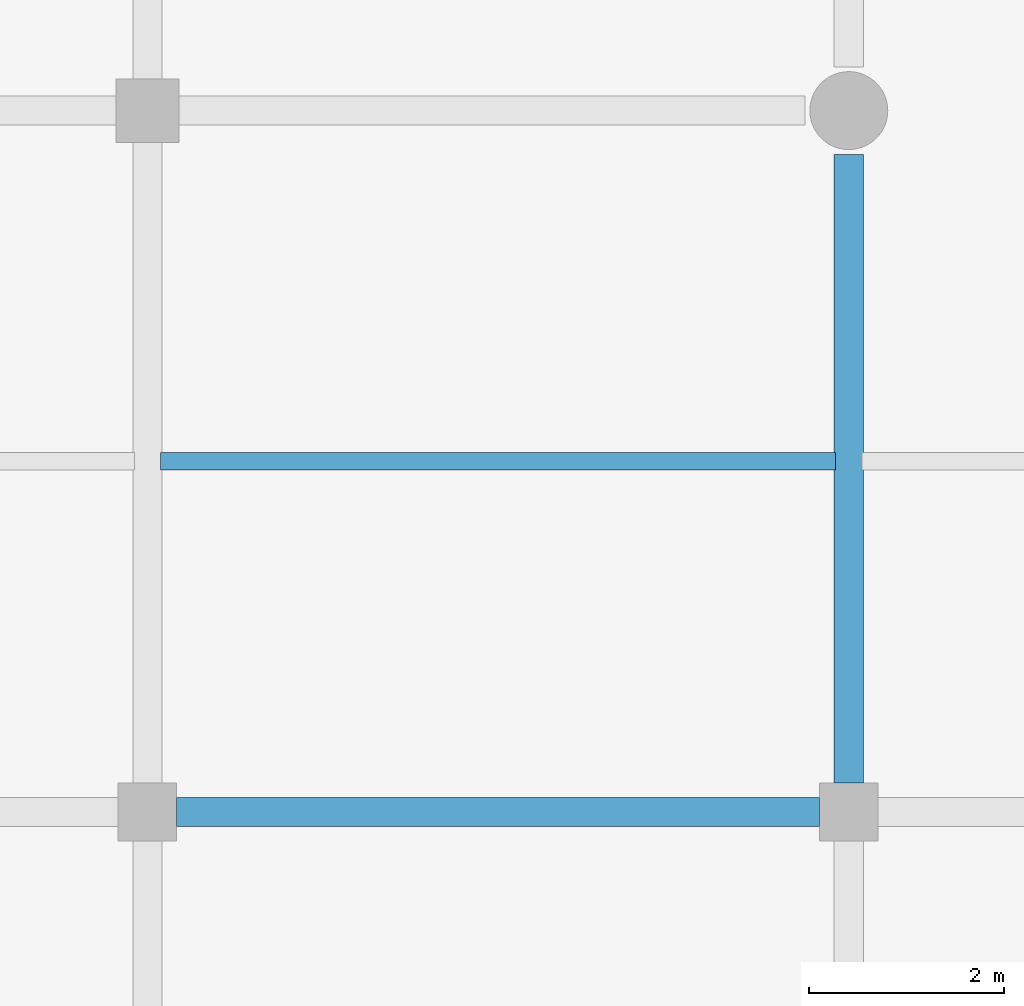
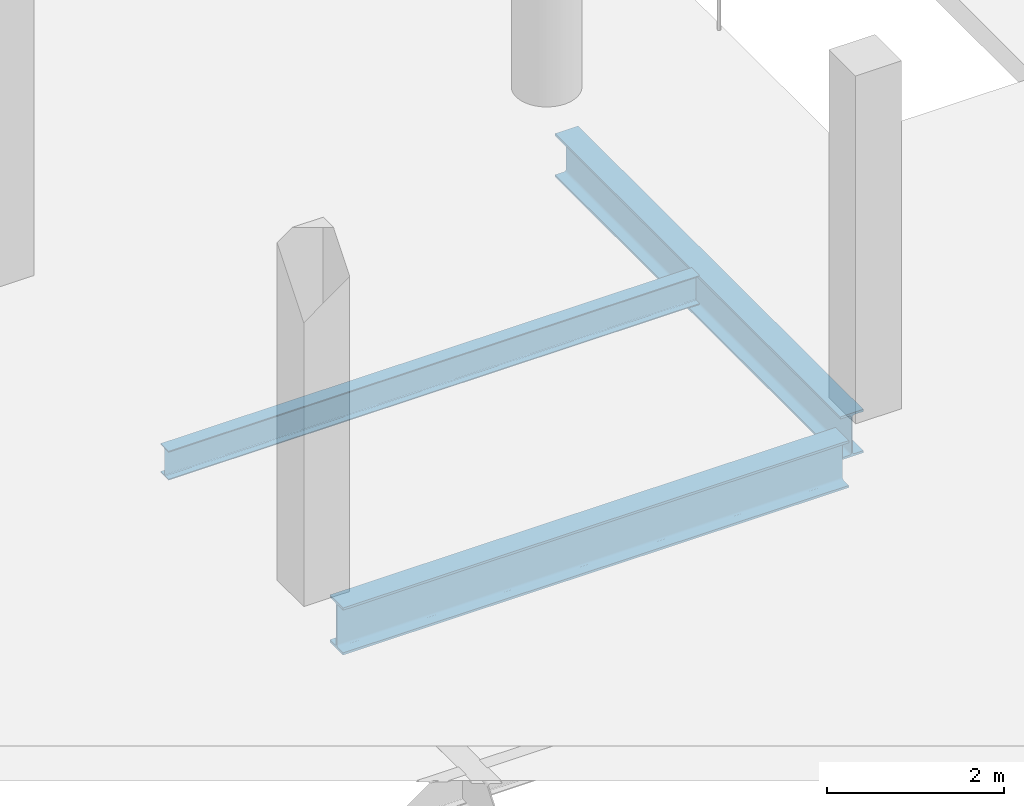
# One storey, part 36 of 105: 3 beams.
"""IFC4 building model written with IfcOpenShell, lengths in metres."""

from ifc_helpers import new_model, si_unit, direction, frame, origin, origin_2d, place, context, subcontext, project, spatial, i_section, extrude, material, material_profile, profile_set, type_object, element, save


model = new_model("IFC4")

# Units and contexts
model_context = context("Model", 3, precision=1e-05, world=origin(), true_north=direction((0.0, 1.0)))
body_context = subcontext(model_context, "Body", "Model", "MODEL_VIEW")
ifc_project = project(units=[si_unit("LENGTHUNIT", "METRE"), si_unit("AREAUNIT", "SQUARE_METRE"), si_unit("VOLUMEUNIT", "CUBIC_METRE"), si_unit("PLANEANGLEUNIT", "RADIAN"), si_unit("MASSUNIT", "GRAM", prefix="KILO")], contexts=[model_context])

# Site, building, storey
site_placement = place(None, origin())
site = spatial("IfcSite", under=ifc_project, at=site_placement, CompositionType="ELEMENT")
building_placement = place(site_placement, origin())
building = spatial("IfcBuilding", under=site, at=building_placement, Name="Qandorah Velis Arena", CompositionType="ELEMENT")
storey_placement = place(building_placement, frame((0.0, 0.0, 13.800048828125)))
storey = spatial("IfcBuildingStorey", under=building, at=storey_placement, Name="L03", CompositionType="ELEMENT", Elevation=13.800048828125)

# Beams
ifc_material = material(Name="Steel S355", Category="steel")
ifc_material_profile_1 = material_profile(ifc_material, i_section(OverallWidth=0.300048828125, OverallDepth=0.60009765625, WebThickness=0.015380859375, FlangeThickness=0.030029296875, FilletRadius=0.027099609375, at=origin_2d()), Name="HEB 600")
ifc_profile_set_1 = profile_set([ifc_material_profile_1], Name="Steel S355")
beam_type_1 = type_object("IfcBeamType", Name="STR-BM-HEB600", PredefinedType="BEAM", material=ifc_profile_set_1)
beam_1_placement = place(storey_placement, frame((14.39990234375, 65.10009765625, -0.6201171875), z_axis=(0.0, 1.0, 0.0), x_axis=(-1.0, 0.0, 0.0)))
element("IfcBeam", 1, at=beam_1_placement, inside=storey, type_object=beam_type_1, Name="Primary floor girder L03 Y-213", PredefinedType="BEAM", context=body_context, shape_type="SweptSolid", body=[
    extrude(i_section(OverallWidth=0.300048828125, OverallDepth=0.60009765625, WebThickness=0.015380859375, FlangeThickness=0.030029296875, FilletRadius=0.027099609375, at=origin_2d()), origin(), (0.0, 0.0, 1.0), 6.449951171875),
])
ifc_material_profile_2 = material_profile(ifc_material, i_section(OverallWidth=0.300048828125, OverallDepth=0.64990234375, WebThickness=0.01611328125, FlangeThickness=0.031005859375, FilletRadius=0.027099609375, at=origin_2d()), Name="HEB 650")
ifc_profile_set_2 = profile_set([ifc_material_profile_2], Name="Steel S355")
beam_type_2 = type_object("IfcBeamType", Name="STR-BM-HEB650", PredefinedType="BEAM", material=ifc_profile_set_2)
beam_2_placement = place(storey_placement, frame((7.5, 64.800048828125, -0.64501953125), z_axis=(1.0, 0.0, 0.0), x_axis=(0.0, 1.0, 0.0)))
element("IfcBeam", 2, at=beam_2_placement, inside=storey, type_object=beam_type_2, Name="Primary floor girder L03 X-090", PredefinedType="BEAM", context=body_context, shape_type="SweptSolid", body=[
    extrude(i_section(OverallWidth=0.300048828125, OverallDepth=0.64990234375, WebThickness=0.01611328125, FlangeThickness=0.031005859375, FilletRadius=0.027099609375, at=origin_2d()), origin(), (0.0, 0.0, 1.0), 6.60009765625),
])
ifc_material_profile_3 = material_profile(ifc_material, i_section(OverallWidth=0.179931640625, OverallDepth=0.39990234375, WebThickness=0.008544921875, FlangeThickness=0.013427734375, FilletRadius=0.02099609375, at=origin_2d()), Name="IPE 400")
ifc_profile_set_3 = profile_set([ifc_material_profile_3], Name="Steel S355")
beam_type_3 = type_object("IfcBeamType", Name="STR-JST-IPE400", PredefinedType="JOIST", material=ifc_profile_set_3)
beam_3_placement = place(storey_placement, frame((7.3349609375, 68.39990234375, -0.52001953125), z_axis=(1.0, 0.0, 0.0), x_axis=(0.0, 1.0, 0.0)))
element("IfcBeam", 3, at=beam_3_placement, inside=storey, type_object=beam_type_3, Name="Secondary floor joist L03-018", PredefinedType="JOIST", context=body_context, shape_type="SweptSolid", body=[
    extrude(i_section(OverallWidth=0.179931640625, OverallDepth=0.39990234375, WebThickness=0.008544921875, FlangeThickness=0.013427734375, FilletRadius=0.02099609375, at=origin_2d()), origin(), (0.0, 0.0, 1.0), 6.929931640625),
])

save(model, "model.ifc")
